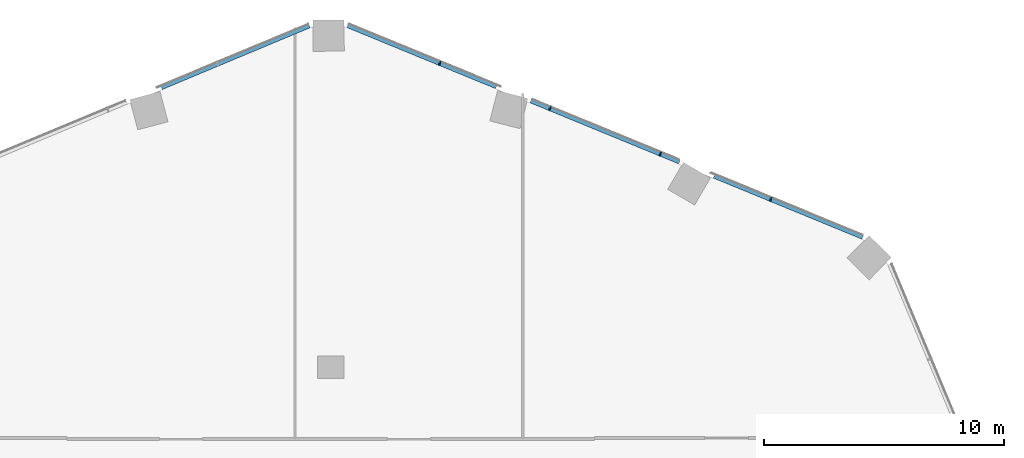
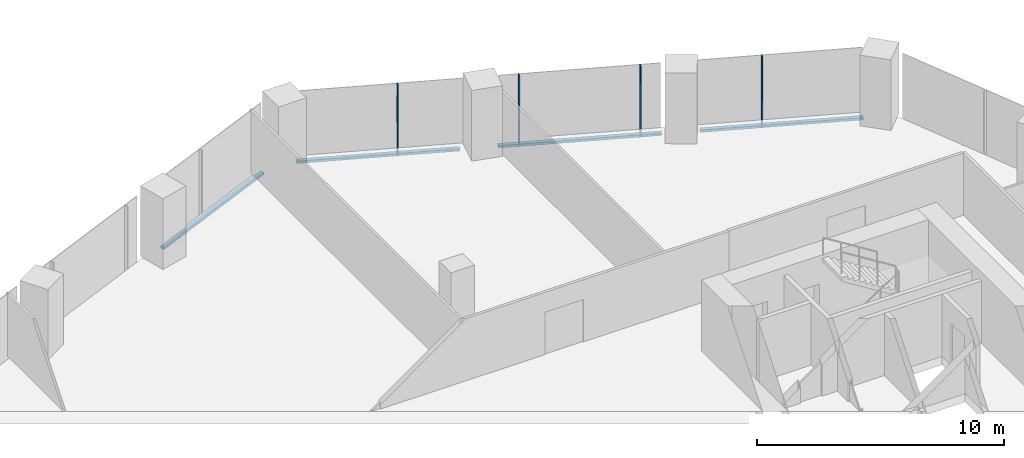
# One storey, part 13 of 34: 8 members, 2 elements without a shape of their own.
"""IFC4 building model written with IfcOpenShell, lengths in metres."""

from ifc_helpers import new_model, si_unit, direction, frame, origin, origin_2d, place, context, subcontext, project, spatial, rectangle, extrude, material, material_profile, profile_set, type_object, element, aggregate, save


model = new_model("IFC4")

# Units and contexts
model_context = context("Model", 3, precision=1e-05, world=origin(), true_north=direction((0.0, 1.0)))
body_context = subcontext(model_context, "Body", "Model", "MODEL_VIEW")
ifc_project = project(units=[si_unit("LENGTHUNIT", "METRE"), si_unit("AREAUNIT", "SQUARE_METRE"), si_unit("VOLUMEUNIT", "CUBIC_METRE"), si_unit("PLANEANGLEUNIT", "RADIAN"), si_unit("MASSUNIT", "GRAM", prefix="KILO")], contexts=[model_context])

# Site, building, storey
site_placement = place(None, origin())
site = spatial("IfcSite", under=ifc_project, at=site_placement, CompositionType="ELEMENT")
building_placement = place(site_placement, origin())
building = spatial("IfcBuilding", under=site, at=building_placement, Name="Orlundy Tower", CompositionType="ELEMENT")
storey_placement = place(building_placement, frame((0.0, 0.0, 109.199951171875)))
storey = spatial("IfcBuildingStorey", under=building, at=storey_placement, Name="L27", CompositionType="ELEMENT", Elevation=109.199951171875)

# Curtain wall, members
ifc_material_1 = material(Name="Aluminium bronze anodised", Category="aluminium")
curtain_wall_type = type_object("IfcCurtainWallType", Name="CW1 wall", PredefinedType="NOTDEFINED", material=ifc_material_1)
curtain_wall_1_placement = place(storey_placement, origin())
curtain_wall_1 = element("IfcCurtainWall", 1, at=curtain_wall_1_placement, inside=storey, type_object=curtain_wall_type, Name="CW1 run 016", PredefinedType="NOTDEFINED")
ifc_material_2 = material(Name="Aluminium bronze anodised", Category="aluminium")
ifc_material_profile_1 = material_profile(ifc_material_2, rectangle(XDim=0.179931640625, YDim=0.050048828125, at=origin_2d()), Name="CW1 mullion 50x180")
ifc_profile_set_1 = profile_set([ifc_material_profile_1], Name="Aluminium bronze anodised")
member_type_1 = type_object("IfcMemberType", Name="CW1 mullion 50x180", PredefinedType="MULLION", material=ifc_profile_set_1)
member_1_placement = place(storey_placement, frame((4.537841796875, 30.66650390625, -0.39990234375), z_axis=(0.0, 0.0, 1.0), x_axis=(0.380004927003, 0.924984462277, 0.0)))
member_1 = element("IfcMember", 2, at=member_1_placement, type_object=member_type_1, Name="CW1 mullion 45", PredefinedType="MULLION", context=body_context, shape_type="SweptSolid", body=[
    extrude(rectangle(XDim=0.179931640625, YDim=0.050048828125, at=origin_2d()), origin(), (0.0, 0.0, 1.0), 3.5),
])
member_2_placement = place(storey_placement, frame((9.135498046875, 28.777587890625, -0.39990234375), z_axis=(0.0, 0.0, 1.0), x_axis=(0.380004927003, 0.924984462277, 0.0)))
member_2 = element("IfcMember", 3, at=member_2_placement, type_object=member_type_1, Name="CW1 mullion 46", PredefinedType="MULLION", context=body_context, shape_type="SweptSolid", body=[
    extrude(rectangle(XDim=0.179931640625, YDim=0.050048828125, at=origin_2d()), origin(), (0.0, 0.0, 1.0), 3.5),
])
member_3_placement = place(storey_placement, frame((13.73291015625, 26.888916015625, -0.39990234375), z_axis=(0.0, 0.0, 1.0), x_axis=(0.380004927003, 0.924984462277, 0.0)))
member_3 = element("IfcMember", 4, at=member_3_placement, type_object=member_type_1, Name="CW1 mullion 47", PredefinedType="MULLION", context=body_context, shape_type="SweptSolid", body=[
    extrude(rectangle(XDim=0.179931640625, YDim=0.050048828125, at=origin_2d()), origin(), (0.0, 0.0, 1.0), 3.5),
])
member_4_placement = place(storey_placement, frame((18.33056640625, 25.0, -0.39990234375), z_axis=(0.0, 0.0, 1.0), x_axis=(0.380004927003, 0.924984462277, 0.0)))
member_4 = element("IfcMember", 5, at=member_4_placement, type_object=member_type_1, Name="CW1 mullion 48", PredefinedType="MULLION", context=body_context, shape_type="SweptSolid", body=[
    extrude(rectangle(XDim=0.179931640625, YDim=0.050048828125, at=origin_2d()), origin(), (0.0, 0.0, 1.0), 3.5),
])

# Curtain wall, member
curtain_wall_2_placement = place(storey_placement, origin())
curtain_wall_2 = element("IfcCurtainWall", 6, at=curtain_wall_2_placement, inside=storey, type_object=curtain_wall_type, Name="CW1 run 015", PredefinedType="NOTDEFINED")
ifc_material_3 = material(Name="Aluminium bronze anodised", Category="aluminium")
ifc_material_profile_2 = material_profile(ifc_material_3, rectangle(XDim=0.179931640625, YDim=0.1201171875, at=origin_2d()), Name="CW1 transom 180x120")
ifc_profile_set_2 = profile_set([ifc_material_profile_2], Name="Aluminium bronze anodised")
member_type_2 = type_object("IfcMemberType", Name="CW1 transom 180x120", PredefinedType="USERDEFINED", material=ifc_profile_set_2)
member_5_placement = place(storey_placement, frame((-7.062255859375, 29.659423828125, -0.33984375), z_axis=(0.922761073246, 0.385372549233, 0.0), x_axis=(-0.385372549233, 0.922761073246, 0.0)))
member_5 = element("IfcMember", 7, at=member_5_placement, type_object=member_type_2, Name="CW1 transom", ObjectType="TRANSOM", PredefinedType="USERDEFINED", context=body_context, shape_type="SweptSolid", body=[
    extrude(rectangle(XDim=0.179931640625, YDim=0.1201171875, at=origin_2d()), origin(), (0.0, 0.0, 1.0), 6.684326171875),
])
aggregate(curtain_wall_2, [member_5])

# Member
member_6_placement = place(storey_placement, frame((0.705810546875, 32.24072265625, -0.33984375), z_axis=(0.924984555997, -0.380004698875, 0.0), x_axis=(0.380004698875, 0.924984555997, 0.0)))
member_6 = element("IfcMember", 8, at=member_6_placement, type_object=member_type_2, Name="CW1 transom", ObjectType="TRANSOM", PredefinedType="USERDEFINED", context=body_context, shape_type="SweptSolid", body=[
    extrude(rectangle(XDim=0.179931640625, YDim=0.1201171875, at=origin_2d()), origin(), (0.0, 0.0, 1.0), 6.69189453125),
])

member_7_placement = place(storey_placement, frame((8.338134765625, 29.105224609375, -0.33984375), z_axis=(0.924985943317, -0.380001321927, 0.0), x_axis=(0.380001321927, 0.924985943317, 0.0)))
member_7 = element("IfcMember", 9, at=member_7_placement, type_object=member_type_2, Name="CW1 transom", ObjectType="TRANSOM", PredefinedType="USERDEFINED", context=body_context, shape_type="SweptSolid", body=[
    extrude(rectangle(XDim=0.179931640625, YDim=0.1201171875, at=origin_2d()), origin(), (0.0, 0.0, 1.0), 6.694580078125),
])

member_8_placement = place(storey_placement, frame((15.974853515625, 25.9677734375, -0.33984375), z_axis=(0.924985455705, -0.380002508853, 0.0), x_axis=(0.380002508853, 0.924985455705, 0.0)))
member_8 = element("IfcMember", 10, at=member_8_placement, type_object=member_type_2, Name="CW1 transom", ObjectType="TRANSOM", PredefinedType="USERDEFINED", context=body_context, shape_type="SweptSolid", body=[
    extrude(rectangle(XDim=0.179931640625, YDim=0.1201171875, at=origin_2d()), origin(), (0.0, 0.0, 1.0), 6.688720703125),
])

aggregate(curtain_wall_1, [member_1, member_2, member_3, member_4, member_6, member_7, member_8])

save(model, "model.ifc")
